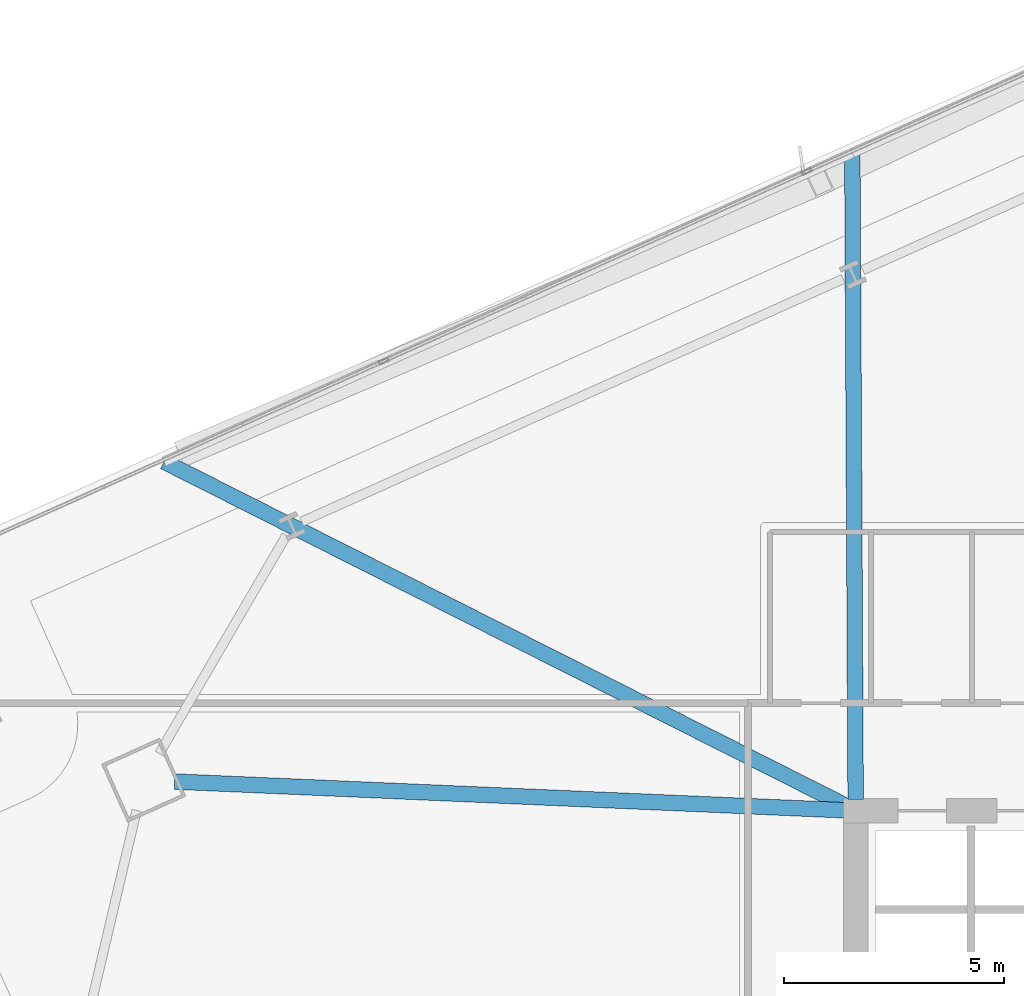
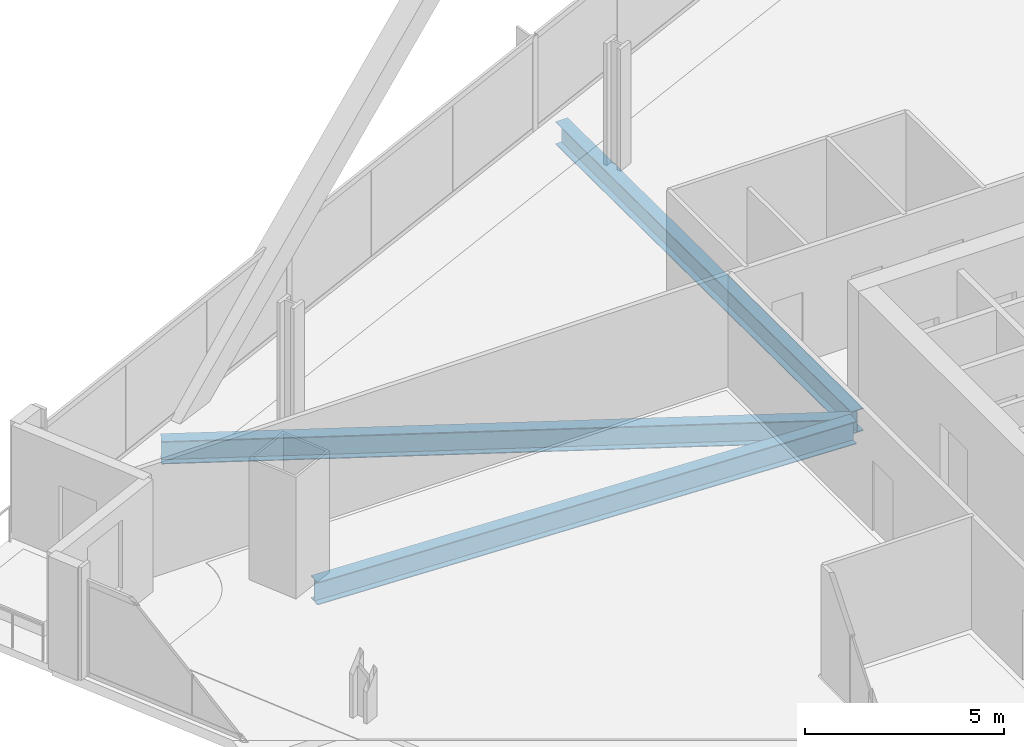
# One storey, part 17 of 38: 3 beams.
"""IFC4 building model written with IfcOpenShell, lengths in metres."""

from ifc_helpers import new_model, si_unit, direction, frame, origin, origin_2d, place, context, subcontext, project, spatial, i_section, extrude, material, material_profile, profile_set, type_object, element, save


model = new_model("IFC4")

# Units and contexts
model_context = context("Model", 3, precision=1e-05, world=origin(), true_north=direction((0.0, 1.0)))
body_context = subcontext(model_context, "Body", "Model", "MODEL_VIEW")
ifc_project = project(units=[si_unit("LENGTHUNIT", "METRE"), si_unit("AREAUNIT", "SQUARE_METRE"), si_unit("VOLUMEUNIT", "CUBIC_METRE"), si_unit("PLANEANGLEUNIT", "RADIAN"), si_unit("MASSUNIT", "GRAM", prefix="KILO")], contexts=[model_context])

# Site, building, storey
site_placement = place(None, origin())
site = spatial("IfcSite", under=ifc_project, at=site_placement, CompositionType="ELEMENT")
building_placement = place(site_placement, origin())
building = spatial("IfcBuilding", under=site, at=building_placement, Name="Haldenkirk Collegiate Tower", CompositionType="ELEMENT")
storey_placement = place(building_placement, frame((0.0, 0.0, 109.199951171875)))
storey = spatial("IfcBuildingStorey", under=building, at=storey_placement, Name="L26", CompositionType="ELEMENT", Elevation=109.199951171875)

# Beams
ifc_material = material(Name="Steel ASTM A992 Grade 50", Category="steel")
ifc_material_profile = material_profile(ifc_material, i_section(OverallWidth=0.35498046875, OverallDepth=0.696044921875, WebThickness=0.015380859375, FlangeThickness=0.02490234375, at=origin_2d()), Name="W27X146")
ifc_profile_set = profile_set([ifc_material_profile], Name="Steel ASTM A992 Grade 50")
beam_type = type_object("IfcBeamType", Name="BM-GIRDER-W27X146", PredefinedType="BEAM", material=ifc_profile_set)
beam_1_placement = place(storey_placement, frame((11.489990234375, 34.6650390625, -0.64794921875), z_axis=(0.999082162822, -0.042834938212, 0.0), x_axis=(0.042834938212, 0.999082162822, 0.0)))
element("IfcBeam", 1, at=beam_1_placement, inside=storey, type_object=beam_type, Name="L26 primary floor girder 04", PredefinedType="BEAM", context=body_context, shape_type="SweptSolid", body=[
    extrude(i_section(OverallWidth=0.35498046875, OverallDepth=0.696044921875, WebThickness=0.015380859375, FlangeThickness=0.02490234375, at=origin_2d()), origin(), (0.0, 0.0, 1.0), 15.26904296875),
])
beam_2_placement = place(storey_placement, frame((26.923583984375, 48.977783203125, -0.64794921875), z_axis=(0.005107304253, -0.999986957637, 0.0), x_axis=(0.999986957637, 0.005107304253, 0.0)))
element("IfcBeam", 2, at=beam_2_placement, inside=storey, type_object=beam_type, Name="L26 primary floor girder 12", PredefinedType="BEAM", context=body_context, shape_type="SweptSolid", body=[
    extrude(i_section(OverallWidth=0.35498046875, OverallDepth=0.696044921875, WebThickness=0.015380859375, FlangeThickness=0.02490234375, at=origin_2d()), origin(), (0.0, 0.0, 1.0), 14.72314453125),
])
beam_3_placement = place(storey_placement, frame((11.25048828125, 41.950439453125, -0.64794921875), z_axis=(0.892707610279, -0.450636352894, 0.0), x_axis=(0.450636352894, 0.892707610279, 0.0)))
element("IfcBeam", 3, at=beam_3_placement, inside=storey, type_object=beam_type, Name="L26 primary floor girder 13", PredefinedType="BEAM", context=body_context, shape_type="SweptSolid", body=[
    extrude(i_section(OverallWidth=0.35498046875, OverallDepth=0.696044921875, WebThickness=0.015380859375, FlangeThickness=0.02490234375, at=origin_2d()), origin(), (0.0, 0.0, 1.0), 17.387451171875),
])

save(model, "model.ifc")
